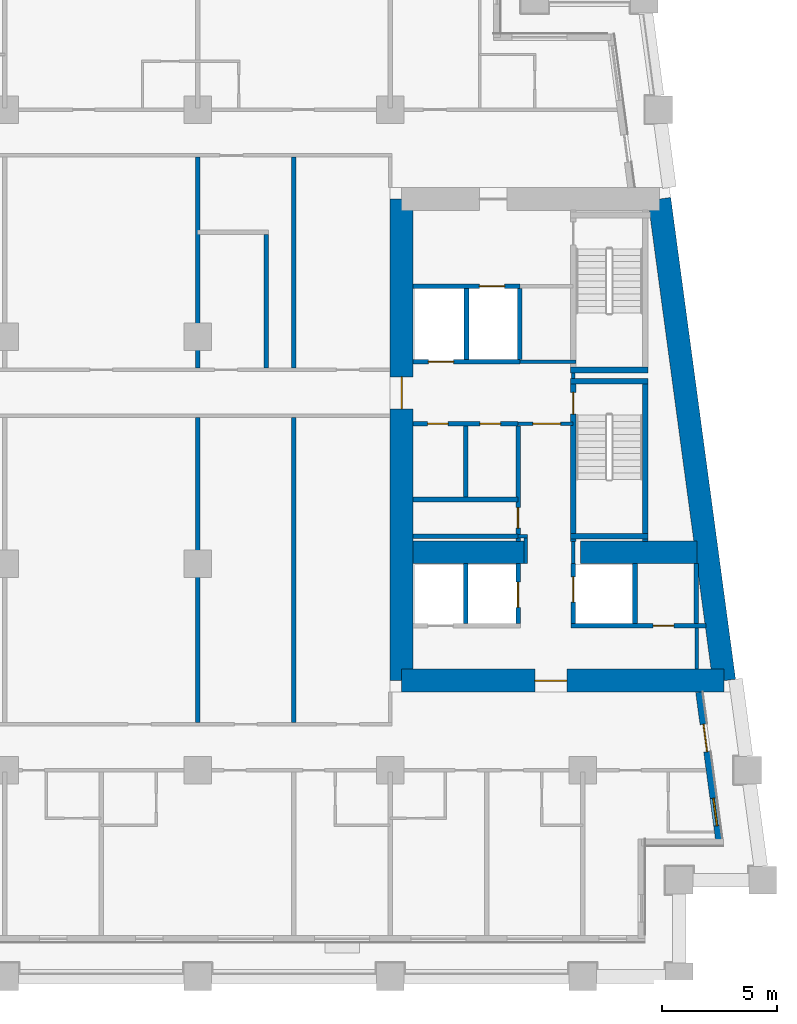
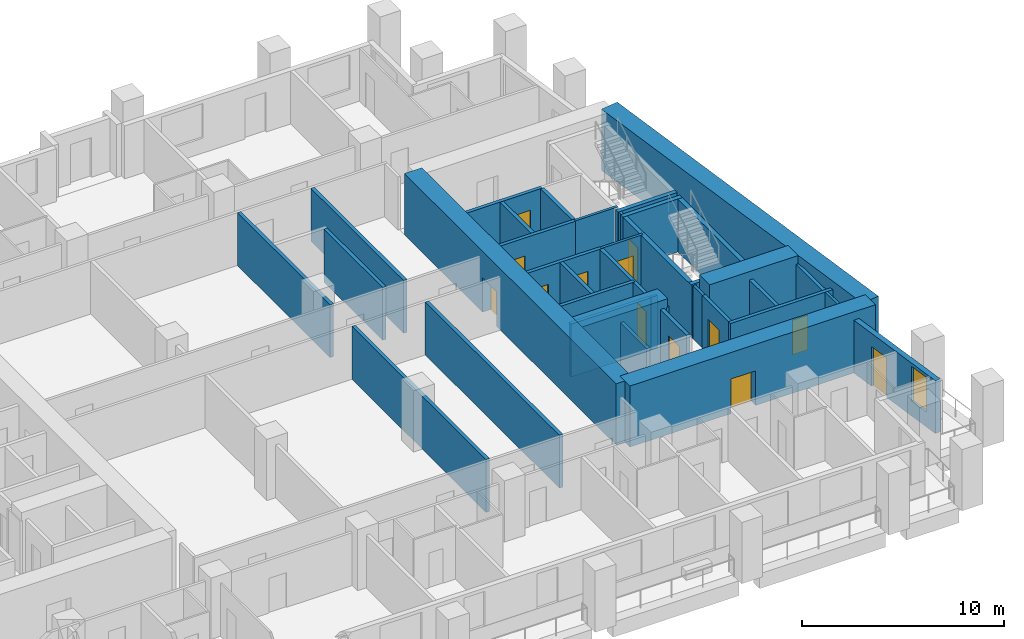
# One storey, part 5 of 13: 38 walls, 13 doors, 1 window, 14 openings.
"""IFC4 building model written with IfcOpenShell, lengths in metres."""

from ifc_helpers import new_model, si_unit, direction, frame, frame_2d, origin, place, context, subcontext, project, spatial, rectangle, extrude, material, layer, layer_set, type_object, element, fill, save


model = new_model("IFC4")

# Units and contexts
model_context = context("Model", 3, precision=1e-05, world=origin(), true_north=direction((0.0, 1.0)))
body_context = subcontext(model_context, "Body", "Model", "MODEL_VIEW")
ifc_project = project(units=[si_unit("LENGTHUNIT", "METRE"), si_unit("AREAUNIT", "SQUARE_METRE"), si_unit("VOLUMEUNIT", "CUBIC_METRE"), si_unit("PLANEANGLEUNIT", "RADIAN"), si_unit("MASSUNIT", "GRAM", prefix="KILO")], contexts=[model_context])

# Site, building, storey
site_placement = place(None, origin())
site = spatial("IfcSite", under=ifc_project, at=site_placement, CompositionType="ELEMENT")
building_placement = place(site_placement, origin())
building = spatial("IfcBuilding", under=site, at=building_placement, Name="Candeia Pilgrim Tower and Theatre", CompositionType="ELEMENT")
storey_placement = place(building_placement, frame((0.0, 0.0, 131.699951171875)))
storey = spatial("IfcBuildingStorey", under=building, at=storey_placement, Name="L31", CompositionType="ELEMENT", Elevation=131.699951171875)

# Wall
ifc_material_1 = material(Name="Concrete C70/85", Category="concrete")
ifc_layer_1 = layer(ifc_material_1, 1.0)
ifc_layer_set_1 = layer_set([ifc_layer_1], Name="Core wall 1000 C70/85")
wall_type_1 = type_object("IfcWallType", Name="Core wall 1000 C70/85", PredefinedType="SHEAR", material=ifc_layer_set_1)
wall_1_placement = place(storey_placement, frame((137.73193359375, 131.89990234375, 0.0), z_axis=(0.0, 0.0, 1.0), x_axis=(0.133411141623, -0.991060778808, 0.0)))
element("IfcWall", 1, at=wall_1_placement, inside=storey, type_object=wall_type_1, Name="Core wall E2", PredefinedType="SHEAR", context=body_context, shape_type="SweptSolid", body=[
    extrude(rectangle(XDim=21.189453125, YDim=1.0, at=frame_2d((10.5947265625, 0.0))), origin(), (0.0, 0.0, 1.0), 3.699951171875),
])

# Wall, opening, door
wall_2_placement = place(storey_placement, frame((140.558837890625, 110.89990234375, 0.0), z_axis=(0.0, 0.0, 1.0), x_axis=(-1.0, 0.0, 0.0)))
wall_2 = element("IfcWall", 2, at=wall_2_placement, inside=storey, type_object=wall_type_1, Name="Core wall E3", PredefinedType="SHEAR", context=body_context, shape_type="SweptSolid", body=[
    extrude(rectangle(XDim=14.058837890625, YDim=1.0, at=frame_2d((7.029296875, 0.0))), origin(), (0.0, 0.0, 1.0), 3.699951171875),
])
opening_1_placement = place(wall_2_placement, frame((6.857666015625, 0.0, 0.0)))
opening_1 = element("IfcOpeningElement", 3, at=opening_1_placement, cuts=wall_2, Name="Opening L31-D061", PredefinedType="OPENING", context=body_context, shape_type="SweptSolid", body=[
    extrude(rectangle(XDim=1.39990234375, YDim=2.10009765625, at=frame_2d((0.699951171875, 1.050048828125))), frame((0.0, 0.510009765625, 0.0), z_axis=(0.0, -1.0, 0.0), x_axis=(1.0, 0.0, 0.0)), (0.0, 0.0, 1.0), 1.02001953125),
])
ifc_material_2 = material(Name="Steel fire door set", Category="steel")
door_type_1 = type_object("IfcDoorType", Name="D-1400-FD60", OperationType="NOTDEFINED", PredefinedType="DOOR", material=ifc_material_2)
door_1_placement = place(opening_1_placement, origin())
door_1 = element("IfcDoor", 4, at=door_1_placement, inside=storey, type_object=door_type_1, Name="Door L31-D061", OperationType="SINGLE_SWING_RIGHT", OverallHeight=2.10009765625, OverallWidth=1.39990234375, PredefinedType="DOOR", context=body_context, shape_type="SweptSolid", body=[
    extrude(rectangle(XDim=1.39990234375, YDim=2.10009765625, at=frame_2d((0.699951171875, 1.050048828125))), frame((0.0, 0.02490234375, 0.0), z_axis=(0.0, -1.0, 0.0), x_axis=(1.0, 0.0, 0.0)), (0.0, 0.0, 1.0), 0.050048828125),
])
fill(opening_1, door_1)

wall_3_placement = place(storey_placement, frame((126.5, 110.89990234375, 0.0), z_axis=(0.0, 0.0, 1.0), x_axis=(0.0, 1.0, 0.0)))
wall_3 = element("IfcWall", 5, at=wall_3_placement, inside=storey, type_object=wall_type_1, Name="Core wall E4", PredefinedType="SHEAR", context=body_context, shape_type="SweptSolid", body=[
    extrude(rectangle(XDim=21.0, YDim=1.0, at=frame_2d((10.5, 0.0))), origin(), (0.0, 0.0, 1.0), 3.699951171875),
])
opening_2_placement = place(wall_3_placement, frame((11.85009765625, 0.0, 0.0)))
opening_2 = element("IfcOpeningElement", 6, at=opening_2_placement, cuts=wall_3, Name="Opening L31-D063", PredefinedType="OPENING", context=body_context, shape_type="SweptSolid", body=[
    extrude(rectangle(XDim=1.39990234375, YDim=2.10009765625, at=frame_2d((0.699951171875, 1.050048828125))), frame((0.0, 0.510009765625, 0.0), z_axis=(0.0, -1.0, 0.0), x_axis=(1.0, 0.0, 0.0)), (0.0, 0.0, 1.0), 1.02001953125),
])
door_2_placement = place(opening_2_placement, origin())
door_2 = element("IfcDoor", 7, at=door_2_placement, inside=storey, type_object=door_type_1, Name="Door L31-D063", OperationType="SINGLE_SWING_RIGHT", OverallHeight=2.10009765625, OverallWidth=1.39990234375, PredefinedType="DOOR", context=body_context, shape_type="SweptSolid", body=[
    extrude(rectangle(XDim=1.39990234375, YDim=2.10009765625, at=frame_2d((0.699951171875, 1.050048828125))), frame((0.0, 0.02490234375, 0.0), z_axis=(0.0, -1.0, 0.0), x_axis=(1.0, 0.0, 0.0)), (0.0, 0.0, 1.0), 0.050048828125),
])
fill(opening_2, door_2)

# Walls
wall_4_placement = place(storey_placement, frame((127.0, 116.5, 0.0), z_axis=(0.0, 0.0, 1.0), x_axis=(1.0, 0.0, 0.0)))
element("IfcWall", 8, at=wall_4_placement, inside=storey, type_object=wall_type_1, Name="Core wall E5", PredefinedType="SHEAR", context=body_context, shape_type="SweptSolid", body=[
    extrude(rectangle(XDim=4.89990234375, YDim=1.0, at=frame_2d((2.449951171875, 0.0))), origin(), (0.0, 0.0, 1.0), 3.699951171875),
])
wall_5_placement = place(storey_placement, frame((134.300048828125, 116.5, 0.0), z_axis=(0.0, 0.0, 1.0), x_axis=(1.0, 0.0, 0.0)))
element("IfcWall", 9, at=wall_5_placement, inside=storey, type_object=wall_type_1, Name="Core wall E6", PredefinedType="SHEAR", context=body_context, shape_type="SweptSolid", body=[
    extrude(rectangle(XDim=5.076904296875, YDim=1.0, at=frame_2d((2.53857421875, 0.0))), origin(), (0.0, 0.0, 1.0), 3.699951171875),
])

# Wall, openings, door, window
ifc_material_3 = material(Name="Ceramic block masonry", Category="masonry")
ifc_layer_2 = layer(ifc_material_3, 0.300048828125)
ifc_layer_set_2 = layer_set([ifc_layer_2], Name="EW1 glazing-line wall 300")
wall_type_2 = type_object("IfcWallType", Name="EW1 glazing-line wall 300", PredefinedType="SOLIDWALL", material=ifc_layer_set_2)
wall_6_placement = place(storey_placement, frame((140.34765625, 103.85009765625, 0.0), z_axis=(0.0, 0.0, 1.0), x_axis=(-0.133431549479, 0.991058031401, 0.0)))
wall_6 = element("IfcWall", 10, at=wall_6_placement, inside=storey, type_object=wall_type_2, Name="External wall L31-3.0", PredefinedType="SOLIDWALL", context=body_context, shape_type="SweptSolid", body=[
    extrude(rectangle(XDim=6.60888671875, YDim=0.300048828125, at=frame_2d((3.304443359375, 0.0))), origin(), (0.0, 0.0, 1.0), 3.199951171875),
])
opening_3_placement = place(wall_6_placement, frame((0.736572265625, 0.0, 0.89990234375)))
opening_3 = element("IfcOpeningElement", 11, at=opening_3_placement, cuts=wall_6, Name="Opening W-B", PredefinedType="OPENING", context=body_context, shape_type="SweptSolid", body=[
    extrude(rectangle(XDim=1.199951171875, YDim=2.10009765625, at=frame_2d((0.60009765625, 1.050048828125))), frame((0.0, 0.16015625, 0.0), z_axis=(0.0, -1.0, 0.0), x_axis=(1.0, 0.0, 0.0)), (0.0, 0.0, 1.0), 0.320068359375),
])
opening_4_placement = place(wall_6_placement, frame((3.990966796875, 0.0, 0.0)))
opening_4 = element("IfcOpeningElement", 12, at=opening_4_placement, cuts=wall_6, Name="Opening L31-ED311", PredefinedType="OPENING", context=body_context, shape_type="SweptSolid", body=[
    extrude(rectangle(XDim=1.199951171875, YDim=2.39990234375, at=frame_2d((0.60009765625, 1.199951171875))), frame((0.0, 0.16015625, 0.0), z_axis=(0.0, -1.0, 0.0), x_axis=(1.0, 0.0, 0.0)), (0.0, 0.0, 1.0), 0.320068359375),
])
ifc_material_4 = material(Name="Aluminium framed glazed door", Category="aluminium")
door_type_2 = type_object("IfcDoorType", Name="Loggia door 1200x2400", OperationType="DOUBLE_DOOR_SINGLE_SWING", PredefinedType="DOOR", material=ifc_material_4)
door_3_placement = place(opening_4_placement, origin())
door_3 = element("IfcDoor", 13, at=door_3_placement, inside=storey, type_object=door_type_2, Name="Loggia door L31-ED311", OperationType="DOUBLE_DOOR_SINGLE_SWING", OverallHeight=2.39990234375, OverallWidth=1.199951171875, PredefinedType="DOOR", context=body_context, shape_type="SweptSolid", body=[
    extrude(rectangle(XDim=1.199951171875, YDim=2.39990234375, at=frame_2d((0.60009765625, 1.199951171875))), frame((0.0, 0.02490234375, 0.0), z_axis=(0.0, -1.0, 0.0), x_axis=(1.0, 0.0, 0.0)), (0.0, 0.0, 1.0), 0.050048828125),
])
fill(opening_4, door_3)
ifc_material_5 = material(Name="Aluminium framed double glazing", Category="aluminium")
window_type = type_object("IfcWindowType", Name="W-B window 1200x2100", PartitioningType="SINGLE_PANEL", PredefinedType="WINDOW", material=ifc_material_5)
window_placement = place(opening_3_placement, origin())
window = element("IfcWindow", 14, at=window_placement, inside=storey, type_object=window_type, Name="Window W-B L31", OverallHeight=2.10009765625, OverallWidth=1.199951171875, PartitioningType="SINGLE_PANEL", PredefinedType="WINDOW", context=body_context, shape_type="SweptSolid", body=[
    extrude(rectangle(XDim=1.199951171875, YDim=2.10009765625, at=frame_2d((0.60009765625, 1.050048828125))), frame((0.0, 0.030029296875, 0.0), z_axis=(0.0, -1.0, 0.0), x_axis=(1.0, 0.0, 0.0)), (0.0, 0.0, 1.0), 0.06005859375),
])
fill(opening_3, window)

# Wall
ifc_material_6 = material(Name="Gypsum board partition on steel studs", Category="steel")
ifc_layer_3 = layer(ifc_material_6, 0.14990234375)
ifc_layer_set_3 = layer_set([ifc_layer_3], Name="PW-150 lobby wall")
wall_type_3 = type_object("IfcWallType", Name="PW-150 lobby wall", PredefinedType="PARTITIONING", material=ifc_layer_set_3)
wall_7_placement = place(storey_placement, frame((131.572998046875, 117.199951171875, 0.0), z_axis=(0.0, 0.0, 1.0), x_axis=(1.0, 0.0, 0.0)))
element("IfcWall", 15, at=wall_7_placement, inside=storey, type_object=wall_type_3, Name="Lobby wall L31-018", PredefinedType="PARTITIONING", context=body_context, shape_type="SweptSolid", body=[
    extrude(rectangle(XDim=0.402099609375, YDim=0.14990234375, at=frame_2d((0.201171875, 0.0))), origin(), (0.0, 0.0, 1.0), 3.199951171875),
])

# Wall, opening, door
wall_8_placement = place(storey_placement, frame((131.572998046875, 122.10009765625, 0.0), z_axis=(0.0, 0.0, 1.0), x_axis=(1.0, 0.0, 0.0)))
wall_8 = element("IfcWall", 16, at=wall_8_placement, inside=storey, type_object=wall_type_3, Name="Lobby wall L31-026", PredefinedType="PARTITIONING", context=body_context, shape_type="SweptSolid", body=[
    extrude(rectangle(XDim=2.39990234375, YDim=0.14990234375, at=frame_2d((1.199951171875, 0.0))), origin(), (0.0, 0.0, 1.0), 3.199951171875),
])
opening_5_placement = place(wall_8_placement, frame((0.64990234375, 0.0, 0.0)))
opening_5 = element("IfcOpeningElement", 17, at=opening_5_placement, cuts=wall_8, Name="Opening L31-D010", PredefinedType="OPENING", context=body_context, shape_type="SweptSolid", body=[
    extrude(rectangle(XDim=1.199951171875, YDim=2.10009765625, at=frame_2d((0.60009765625, 1.050048828125))), frame((0.0, 0.0849609375, 0.0), z_axis=(0.0, -1.0, 0.0), x_axis=(1.0, 0.0, 0.0)), (0.0, 0.0, 1.0), 0.169921875),
])
door_type_3 = type_object("IfcDoorType", Name="D-1200-FD60", OperationType="NOTDEFINED", PredefinedType="DOOR", material=ifc_material_2)
door_4_placement = place(opening_5_placement, origin())
door_4 = element("IfcDoor", 18, at=door_4_placement, inside=storey, type_object=door_type_3, Name="Door L31-D010", OperationType="SINGLE_SWING_RIGHT", OverallHeight=2.10009765625, OverallWidth=1.199951171875, PredefinedType="DOOR", context=body_context, shape_type="SweptSolid", body=[
    extrude(rectangle(XDim=1.199951171875, YDim=2.10009765625, at=frame_2d((0.60009765625, 1.050048828125))), frame((0.0, 0.02490234375, 0.0), z_axis=(0.0, -1.0, 0.0), x_axis=(1.0, 0.0, 0.0)), (0.0, 0.0, 1.0), 0.050048828125),
])
fill(opening_5, door_4)

# Walls
wall_9_placement = place(storey_placement, frame((131.648681640625, 124.800048828125, 0.0), z_axis=(0.0, 0.0, 1.0), x_axis=(1.0, 0.0, 0.0)))
element("IfcWall", 19, at=wall_9_placement, inside=storey, type_object=wall_type_3, Name="Lobby wall L31-035", PredefinedType="PARTITIONING", context=body_context, shape_type="SweptSolid", body=[
    extrude(rectangle(XDim=2.44921875, YDim=0.14990234375, at=frame_2d((1.224609375, 0.0))), origin(), (0.0, 0.0, 1.0), 3.199951171875),
])
wall_10_placement = place(storey_placement, frame((131.89990234375, 116.0, 0.0), z_axis=(0.0, 0.0, 1.0), x_axis=(0.0, 1.0, 0.0)))
element("IfcWall", 20, at=wall_10_placement, inside=storey, type_object=wall_type_3, Name="Lobby wall L31-109", PredefinedType="PARTITIONING", context=body_context, shape_type="SweptSolid", body=[
    extrude(rectangle(XDim=1.125, YDim=0.14990234375, at=frame_2d((0.5625, 0.0))), origin(), (0.0, 0.0, 1.0), 3.199951171875),
])
wall_11_placement = place(storey_placement, frame((133.972900390625, 116.0, 0.0), z_axis=(0.0, 0.0, 1.0), x_axis=(0.0, 1.0, 0.0)))
element("IfcWall", 21, at=wall_11_placement, inside=storey, type_object=wall_type_3, Name="Lobby wall L31-113", PredefinedType="PARTITIONING", context=body_context, shape_type="SweptSolid", body=[
    extrude(rectangle(XDim=0.969970703125, YDim=0.14990234375, at=frame_2d((0.48486328125, 0.0))), origin(), (0.0, 0.0, 1.0), 3.199951171875),
])
wall_12_placement = place(storey_placement, frame((133.972900390625, 124.074951171875, 0.0), z_axis=(0.0, 0.0, 1.0), x_axis=(0.0, 1.0, 0.0)))
element("IfcWall", 22, at=wall_12_placement, inside=storey, type_object=wall_type_3, Name="Lobby wall L31-114", PredefinedType="PARTITIONING", context=body_context, shape_type="SweptSolid", body=[
    extrude(rectangle(XDim=0.25, YDim=0.14990234375, at=frame_2d((0.125, 0.0))), origin(), (0.0, 0.0, 1.0), 3.199951171875),
])
wall_13_placement = place(storey_placement, frame((139.37109375, 111.39990234375, 0.0), z_axis=(0.0, 0.0, 1.0), x_axis=(0.0, 1.0, 0.0)))
element("IfcWall", 23, at=wall_13_placement, inside=storey, type_object=wall_type_3, Name="Lobby wall L31-123", PredefinedType="PARTITIONING", context=body_context, shape_type="SweptSolid", body=[
    extrude(rectangle(XDim=1.800048828125, YDim=0.14990234375, at=frame_2d((0.89990234375, 0.0))), origin(), (0.0, 0.0, 1.0), 3.199951171875),
])
ifc_layer_4 = layer(ifc_material_6, 0.199951171875)
ifc_layer_set_4 = layer_set([ifc_layer_4], Name="PW-200 party wall")
wall_type_4 = type_object("IfcWallType", Name="PW-200 party wall", PredefinedType="PARTITIONING", material=ifc_layer_set_4)
wall_14_placement = place(storey_placement, frame((117.60009765625, 109.074951171875, 0.0), z_axis=(0.0, 0.0, 1.0), x_axis=(0.0, 1.0, 0.0)))
element("IfcWall", 24, at=wall_14_placement, inside=storey, type_object=wall_type_4, Name="Party wall L31-087", PredefinedType="PARTITIONING", context=body_context, shape_type="SweptSolid", body=[
    extrude(rectangle(XDim=13.300048828125, YDim=0.199951171875, at=frame_2d((6.64990234375, 0.0))), origin(), (0.0, 0.0, 1.0), 3.199951171875),
])
wall_15_placement = place(storey_placement, frame((117.60009765625, 124.52490234375, 0.0), z_axis=(0.0, 0.0, 1.0), x_axis=(0.0, 1.0, 0.0)))
element("IfcWall", 25, at=wall_15_placement, inside=storey, type_object=wall_type_4, Name="Party wall L31-088", PredefinedType="PARTITIONING", context=body_context, shape_type="SweptSolid", body=[
    extrude(rectangle(XDim=9.2001953125, YDim=0.199951171875, at=frame_2d((4.60009765625, 0.0))), origin(), (0.0, 0.0, 1.0), 3.199951171875),
])
wall_16_placement = place(storey_placement, frame((120.60009765625, 124.52490234375, 0.0), z_axis=(0.0, 0.0, 1.0), x_axis=(0.0, 1.0, 0.0)))
element("IfcWall", 26, at=wall_16_placement, inside=storey, type_object=wall_type_4, Name="Party wall L31-091", PredefinedType="PARTITIONING", context=body_context, shape_type="SweptSolid", body=[
    extrude(rectangle(XDim=5.8251953125, YDim=0.199951171875, at=frame_2d((2.91259765625, 0.0))), origin(), (0.0, 0.0, 1.0), 3.199951171875),
])
wall_17_placement = place(storey_placement, frame((121.800048828125, 109.074951171875, 0.0), z_axis=(0.0, 0.0, 1.0), x_axis=(0.0, 1.0, 0.0)))
element("IfcWall", 27, at=wall_17_placement, inside=storey, type_object=wall_type_4, Name="Party wall L31-093", PredefinedType="PARTITIONING", context=body_context, shape_type="SweptSolid", body=[
    extrude(rectangle(XDim=13.300048828125, YDim=0.199951171875, at=frame_2d((6.64990234375, 0.0))), origin(), (0.0, 0.0, 1.0), 3.199951171875),
])
wall_18_placement = place(storey_placement, frame((121.800048828125, 124.52490234375, 0.0), z_axis=(0.0, 0.0, 1.0), x_axis=(0.0, 1.0, 0.0)))
element("IfcWall", 28, at=wall_18_placement, inside=storey, type_object=wall_type_4, Name="Party wall L31-094", PredefinedType="PARTITIONING", context=body_context, shape_type="SweptSolid", body=[
    extrude(rectangle(XDim=9.2001953125, YDim=0.199951171875, at=frame_2d((4.60009765625, 0.0))), origin(), (0.0, 0.0, 1.0), 3.199951171875),
])

# Wall, opening, door
ifc_material_7 = material(Name="Concrete C40/50", Category="concrete")
ifc_layer_5 = layer(ifc_material_7, 0.199951171875)
ifc_layer_set_5 = layer_set([ifc_layer_5], Name="SW-200 shaft wall")
wall_type_5 = type_object("IfcWallType", Name="SW-200 shaft wall", PredefinedType="PARTITIONING", material=ifc_layer_set_5)
wall_19_placement = place(storey_placement, frame((133.873046875, 113.300048828125, 0.0), z_axis=(0.0, 0.0, 1.0), x_axis=(1.0, 0.0, 0.0)))
wall_19 = element("IfcWall", 29, at=wall_19_placement, inside=storey, type_object=wall_type_5, Name="Shaft wall L31-014", PredefinedType="PARTITIONING", context=body_context, shape_type="SweptSolid", body=[
    extrude(rectangle(XDim=5.888427734375, YDim=0.199951171875, at=frame_2d((2.9443359375, 0.0))), origin(), (0.0, 0.0, 1.0), 3.199951171875),
])
opening_6_placement = place(wall_19_placement, frame((3.589111328125, 0.0, 0.0)))
opening_6 = element("IfcOpeningElement", 30, at=opening_6_placement, cuts=wall_19, Name="Opening L31-D016", PredefinedType="OPENING", context=body_context, shape_type="SweptSolid", body=[
    extrude(rectangle(XDim=0.89990234375, YDim=2.10009765625, at=frame_2d((0.449951171875, 1.050048828125))), frame((0.0, 0.10986328125, 0.0), z_axis=(0.0, -1.0, 0.0), x_axis=(1.0, 0.0, 0.0)), (0.0, 0.0, 1.0), 0.219970703125),
])
door_type_4 = type_object("IfcDoorType", Name="D-900-FD60", OperationType="NOTDEFINED", PredefinedType="DOOR", material=ifc_material_2)
door_5_placement = place(opening_6_placement, origin())
door_5 = element("IfcDoor", 31, at=door_5_placement, inside=storey, type_object=door_type_4, Name="Door L31-D016", OperationType="SINGLE_SWING_LEFT", OverallHeight=2.10009765625, OverallWidth=0.89990234375, PredefinedType="DOOR", context=body_context, shape_type="SweptSolid", body=[
    extrude(rectangle(XDim=0.89990234375, YDim=2.10009765625, at=frame_2d((0.449951171875, 1.050048828125))), frame((0.0, 0.02490234375, 0.0), z_axis=(0.0, -1.0, 0.0), x_axis=(1.0, 0.0, 0.0)), (0.0, 0.0, 1.0), 0.050048828125),
])
fill(opening_6, door_5)

# Walls
for number, where, z_axis, x_axis, name in (
    (32, (127.0, 117.199951171875, 0.0), (0.0, 0.0, 1.0), (1.0, 0.0, 0.0), "Shaft wall L31-016"),
    (33, (127.0, 118.800048828125, 0.0), (0.0, 0.0, 1.0), (1.0, 0.0, 0.0), "Shaft wall L31-022"),
):
    element("IfcWall", number, at=place(storey_placement, frame(where, z_axis=z_axis, x_axis=x_axis)), inside=storey, type_object=wall_type_5, Name=name, PredefinedType="PARTITIONING", context=body_context, shape_type="SweptSolid", body=[
        extrude(rectangle(XDim=4.572998046875, YDim=0.199951171875, at=frame_2d((2.28662109375, 0.0))), origin(), (0.0, 0.0, 1.0), 3.199951171875),
    ])

# Wall, openings, doors
wall_20_placement = place(storey_placement, frame((127.0, 122.10009765625, 0.0), z_axis=(0.0, 0.0, 1.0), x_axis=(1.0, 0.0, 0.0)))
wall_20 = element("IfcWall", 34, at=wall_20_placement, inside=storey, type_object=wall_type_5, Name="Shaft wall L31-024", PredefinedType="PARTITIONING", context=body_context, shape_type="SweptSolid", body=[
    extrude(rectangle(XDim=4.572998046875, YDim=0.199951171875, at=frame_2d((2.28662109375, 0.0))), origin(), (0.0, 0.0, 1.0), 3.199951171875),
])
opening_7_placement = place(wall_20_placement, frame((2.910888671875, 0.0, 0.0)))
opening_7 = element("IfcOpeningElement", 35, at=opening_7_placement, cuts=wall_20, Name="Opening L31-D011", PredefinedType="OPENING", context=body_context, shape_type="SweptSolid", body=[
    extrude(rectangle(XDim=0.89990234375, YDim=2.10009765625, at=frame_2d((0.449951171875, 1.050048828125))), frame((0.0, 0.10986328125, 0.0), z_axis=(0.0, -1.0, 0.0), x_axis=(1.0, 0.0, 0.0)), (0.0, 0.0, 1.0), 0.219970703125),
])
opening_8_placement = place(wall_20_placement, frame((0.625, 0.0, 0.0)))
opening_8 = element("IfcOpeningElement", 36, at=opening_8_placement, cuts=wall_20, Name="Opening L31-D012", PredefinedType="OPENING", context=body_context, shape_type="SweptSolid", body=[
    extrude(rectangle(XDim=0.89990234375, YDim=2.10009765625, at=frame_2d((0.449951171875, 1.050048828125))), frame((0.0, 0.10986328125, 0.0), z_axis=(0.0, -1.0, 0.0), x_axis=(1.0, 0.0, 0.0)), (0.0, 0.0, 1.0), 0.219970703125),
])
door_6_placement = place(opening_7_placement, origin())
door_6 = element("IfcDoor", 37, at=door_6_placement, inside=storey, type_object=door_type_4, Name="Door L31-D011", OperationType="SINGLE_SWING_LEFT", OverallHeight=2.10009765625, OverallWidth=0.89990234375, PredefinedType="DOOR", context=body_context, shape_type="SweptSolid", body=[
    extrude(rectangle(XDim=0.89990234375, YDim=2.10009765625, at=frame_2d((0.449951171875, 1.050048828125))), frame((0.0, 0.02490234375, 0.0), z_axis=(0.0, -1.0, 0.0), x_axis=(1.0, 0.0, 0.0)), (0.0, 0.0, 1.0), 0.050048828125),
])
fill(opening_7, door_6)
door_7_placement = place(opening_8_placement, origin())
door_7 = element("IfcDoor", 38, at=door_7_placement, inside=storey, type_object=door_type_4, Name="Door L31-D012", OperationType="SINGLE_SWING_RIGHT", OverallHeight=2.10009765625, OverallWidth=0.89990234375, PredefinedType="DOOR", context=body_context, shape_type="SweptSolid", body=[
    extrude(rectangle(XDim=0.89990234375, YDim=2.10009765625, at=frame_2d((0.449951171875, 1.050048828125))), frame((0.0, 0.02490234375, 0.0), z_axis=(0.0, -1.0, 0.0), x_axis=(1.0, 0.0, 0.0)), (0.0, 0.0, 1.0), 0.050048828125),
])
fill(opening_8, door_7)

# Wall, opening, door
wall_21_placement = place(storey_placement, frame((127.0, 124.800048828125, 0.0), z_axis=(0.0, 0.0, 1.0), x_axis=(1.0, 0.0, 0.0)))
wall_21 = element("IfcWall", 39, at=wall_21_placement, inside=storey, type_object=wall_type_5, Name="Shaft wall L31-034", PredefinedType="PARTITIONING", context=body_context, shape_type="SweptSolid", body=[
    extrude(rectangle(XDim=4.648681640625, YDim=0.199951171875, at=frame_2d((2.32421875, 0.0))), origin(), (0.0, 0.0, 1.0), 3.199951171875),
])
opening_9_placement = place(wall_21_placement, frame((0.6650390625, 0.0, 0.0)))
opening_9 = element("IfcOpeningElement", 40, at=opening_9_placement, cuts=wall_21, Name="Opening L31-LD05", PredefinedType="OPENING", context=body_context, shape_type="SweptSolid", body=[
    extrude(rectangle(XDim=1.10009765625, YDim=2.10009765625, at=frame_2d((0.550048828125, 1.050048828125))), frame((0.0, 0.10986328125, 0.0), z_axis=(0.0, -1.0, 0.0), x_axis=(1.0, 0.0, 0.0)), (0.0, 0.0, 1.0), 0.219970703125),
])
ifc_material_8 = material(Name="Glazed aluminium landing door", Category="aluminium")
door_type_5 = type_object("IfcDoorType", Name="LD-1100-EI120", OperationType="SLIDING_TO_LEFT", PredefinedType="DOOR", material=ifc_material_8)
door_8_placement = place(opening_9_placement, origin())
door_8 = element("IfcDoor", 41, at=door_8_placement, inside=storey, type_object=door_type_5, Name="Landing door 05 L31", OperationType="SLIDING_TO_LEFT", OverallHeight=2.10009765625, OverallWidth=1.10009765625, PredefinedType="DOOR", context=body_context, shape_type="SweptSolid", body=[
    extrude(rectangle(XDim=1.10009765625, YDim=2.10009765625, at=frame_2d((0.550048828125, 1.050048828125))), frame((0.0, 0.02490234375, 0.0), z_axis=(0.0, -1.0, 0.0), x_axis=(1.0, 0.0, 0.0)), (0.0, 0.0, 1.0), 0.050048828125),
])
fill(opening_9, door_8)

wall_22_placement = place(storey_placement, frame((127.0, 128.10009765625, 0.0), z_axis=(0.0, 0.0, 1.0), x_axis=(1.0, 0.0, 0.0)))
wall_22 = element("IfcWall", 42, at=wall_22_placement, inside=storey, type_object=wall_type_5, Name="Shaft wall L31-037", PredefinedType="PARTITIONING", context=body_context, shape_type="SweptSolid", body=[
    extrude(rectangle(XDim=4.648681640625, YDim=0.199951171875, at=frame_2d((2.32421875, 0.0))), origin(), (0.0, 0.0, 1.0), 3.199951171875),
])
opening_10_placement = place(wall_22_placement, frame((2.884033203125, 0.0, 0.0)))
opening_10 = element("IfcOpeningElement", 43, at=opening_10_placement, cuts=wall_22, Name="Opening L31-LD04", PredefinedType="OPENING", context=body_context, shape_type="SweptSolid", body=[
    extrude(rectangle(XDim=1.10009765625, YDim=2.10009765625, at=frame_2d((0.550048828125, 1.050048828125))), frame((0.0, 0.10986328125, 0.0), z_axis=(0.0, -1.0, 0.0), x_axis=(1.0, 0.0, 0.0)), (0.0, 0.0, 1.0), 0.219970703125),
])
door_9_placement = place(opening_10_placement, origin())
door_9 = element("IfcDoor", 44, at=door_9_placement, inside=storey, type_object=door_type_5, Name="Landing door 04 L31", OperationType="SLIDING_TO_LEFT", OverallHeight=2.10009765625, OverallWidth=1.10009765625, PredefinedType="DOOR", context=body_context, shape_type="SweptSolid", body=[
    extrude(rectangle(XDim=1.10009765625, YDim=2.10009765625, at=frame_2d((0.550048828125, 1.050048828125))), frame((0.0, 0.02490234375, 0.0), z_axis=(0.0, -1.0, 0.0), x_axis=(1.0, 0.0, 0.0)), (0.0, 0.0, 1.0), 0.050048828125),
])
fill(opening_10, door_9)

# Walls
wall_23_placement = place(storey_placement, frame((129.28662109375, 113.39990234375, 0.0), z_axis=(0.0, 0.0, 1.0), x_axis=(0.0, 1.0, 0.0)))
element("IfcWall", 45, at=wall_23_placement, inside=storey, type_object=wall_type_5, Name="Shaft wall L31-101", PredefinedType="PARTITIONING", context=body_context, shape_type="SweptSolid", body=[
    extrude(rectangle(XDim=2.60009765625, YDim=0.199951171875, at=frame_2d((1.300048828125, 0.0))), origin(), (0.0, 0.0, 1.0), 3.199951171875),
])
for number, where, z_axis, x_axis, name in (
    (46, (129.28662109375, 118.89990234375, 0.0), (0.0, 0.0, 1.0), (0.0, 1.0, 0.0), "Shaft wall L31-102"),
    (47, (129.32421875, 124.89990234375, 0.0), (0.0, 0.0, 1.0), (0.0, 1.0, 0.0), "Shaft wall L31-103"),
):
    element("IfcWall", number, at=place(storey_placement, frame(where, z_axis=z_axis, x_axis=x_axis)), inside=storey, type_object=wall_type_5, Name=name, PredefinedType="PARTITIONING", context=body_context, shape_type="SweptSolid", body=[
        extrude(rectangle(XDim=3.10009765625, YDim=0.199951171875, at=frame_2d((1.550048828125, 0.0))), origin(), (0.0, 0.0, 1.0), 3.199951171875),
    ])

# Wall, opening, door
wall_24_placement = place(storey_placement, frame((131.572998046875, 113.39990234375, 0.0), z_axis=(0.0, 0.0, 1.0), x_axis=(0.0, 1.0, 0.0)))
wall_24 = element("IfcWall", 48, at=wall_24_placement, inside=storey, type_object=wall_type_5, Name="Shaft wall L31-106", PredefinedType="PARTITIONING", context=body_context, shape_type="SweptSolid", body=[
    extrude(rectangle(XDim=2.60009765625, YDim=0.199951171875, at=frame_2d((1.300048828125, 0.0))), origin(), (0.0, 0.0, 1.0), 3.199951171875),
])
opening_11_placement = place(wall_24_placement, frame((0.699951171875, 0.0, 0.0)))
opening_11 = element("IfcOpeningElement", 49, at=opening_11_placement, cuts=wall_24, Name="Opening L31-LD07", PredefinedType="OPENING", context=body_context, shape_type="SweptSolid", body=[
    extrude(rectangle(XDim=1.10009765625, YDim=2.10009765625, at=frame_2d((0.550048828125, 1.050048828125))), frame((0.0, 0.10986328125, 0.0), z_axis=(0.0, -1.0, 0.0), x_axis=(1.0, 0.0, 0.0)), (0.0, 0.0, 1.0), 0.219970703125),
])
door_10_placement = place(opening_11_placement, origin())
door_10 = element("IfcDoor", 50, at=door_10_placement, inside=storey, type_object=door_type_5, Name="Landing door 07 L31", OperationType="SLIDING_TO_LEFT", OverallHeight=2.10009765625, OverallWidth=1.10009765625, PredefinedType="DOOR", context=body_context, shape_type="SweptSolid", body=[
    extrude(rectangle(XDim=1.10009765625, YDim=2.10009765625, at=frame_2d((0.550048828125, 1.050048828125))), frame((0.0, 0.02490234375, 0.0), z_axis=(0.0, -1.0, 0.0), x_axis=(1.0, 0.0, 0.0)), (0.0, 0.0, 1.0), 0.050048828125),
])
fill(opening_11, door_10)

wall_25_placement = place(storey_placement, frame((131.572998046875, 116.969970703125, 0.0), z_axis=(0.0, 0.0, 1.0), x_axis=(0.0, 1.0, 0.0)))
wall_25 = element("IfcWall", 51, at=wall_25_placement, inside=storey, type_object=wall_type_5, Name="Shaft wall L31-107", PredefinedType="PARTITIONING", context=body_context, shape_type="SweptSolid", body=[
    extrude(rectangle(XDim=5.030029296875, YDim=0.199951171875, at=frame_2d((2.51513671875, 0.0))), origin(), (0.0, 0.0, 1.0), 3.199951171875),
])
opening_12_placement = place(wall_25_placement, frame((0.580078125, 0.0, 0.0)))
opening_12 = element("IfcOpeningElement", 52, at=opening_12_placement, cuts=wall_25, Name="Opening L31-D015", PredefinedType="OPENING", context=body_context, shape_type="SweptSolid", body=[
    extrude(rectangle(XDim=0.89990234375, YDim=2.10009765625, at=frame_2d((0.449951171875, 1.050048828125))), frame((0.0, 0.10986328125, 0.0), z_axis=(0.0, -1.0, 0.0), x_axis=(1.0, 0.0, 0.0)), (0.0, 0.0, 1.0), 0.219970703125),
])
door_11_placement = place(opening_12_placement, origin())
door_11 = element("IfcDoor", 53, at=door_11_placement, inside=storey, type_object=door_type_4, Name="Door L31-D015", OperationType="SINGLE_SWING_LEFT", OverallHeight=2.10009765625, OverallWidth=0.89990234375, PredefinedType="DOOR", context=body_context, shape_type="SweptSolid", body=[
    extrude(rectangle(XDim=0.89990234375, YDim=2.10009765625, at=frame_2d((0.449951171875, 1.050048828125))), frame((0.0, 0.02490234375, 0.0), z_axis=(0.0, -1.0, 0.0), x_axis=(1.0, 0.0, 0.0)), (0.0, 0.0, 1.0), 0.050048828125),
])
fill(opening_12, door_11)

# Wall
wall_26_placement = place(storey_placement, frame((131.648681640625, 124.89990234375, 0.0), z_axis=(0.0, 0.0, 1.0), x_axis=(0.0, 1.0, 0.0)))
element("IfcWall", 54, at=wall_26_placement, inside=storey, type_object=wall_type_5, Name="Shaft wall L31-108", PredefinedType="PARTITIONING", context=body_context, shape_type="SweptSolid", body=[
    extrude(rectangle(XDim=3.10009765625, YDim=0.199951171875, at=frame_2d((1.550048828125, 0.0))), origin(), (0.0, 0.0, 1.0), 3.199951171875),
])

# Wall, opening, door
wall_27_placement = place(storey_placement, frame((133.972900390625, 113.39990234375, 0.0), z_axis=(0.0, 0.0, 1.0), x_axis=(0.0, 1.0, 0.0)))
wall_27 = element("IfcWall", 55, at=wall_27_placement, inside=storey, type_object=wall_type_5, Name="Shaft wall L31-112", PredefinedType="PARTITIONING", context=body_context, shape_type="SweptSolid", body=[
    extrude(rectangle(XDim=2.60009765625, YDim=0.199951171875, at=frame_2d((1.300048828125, 0.0))), origin(), (0.0, 0.0, 1.0), 3.199951171875),
])
opening_13_placement = place(wall_27_placement, frame((0.925048828125, 0.0, 0.0)))
opening_13 = element("IfcOpeningElement", 56, at=opening_13_placement, cuts=wall_27, Name="Opening L31-LD06", PredefinedType="OPENING", context=body_context, shape_type="SweptSolid", body=[
    extrude(rectangle(XDim=1.10009765625, YDim=2.10009765625, at=frame_2d((0.550048828125, 1.050048828125))), frame((0.0, 0.10986328125, 0.0), z_axis=(0.0, -1.0, 0.0), x_axis=(1.0, 0.0, 0.0)), (0.0, 0.0, 1.0), 0.219970703125),
])
door_12_placement = place(opening_13_placement, origin())
door_12 = element("IfcDoor", 57, at=door_12_placement, inside=storey, type_object=door_type_5, Name="Landing door 06 L31", OperationType="SLIDING_TO_LEFT", OverallHeight=2.10009765625, OverallWidth=1.10009765625, PredefinedType="DOOR", context=body_context, shape_type="SweptSolid", body=[
    extrude(rectangle(XDim=1.10009765625, YDim=2.10009765625, at=frame_2d((0.550048828125, 1.050048828125))), frame((0.0, 0.02490234375, 0.0), z_axis=(0.0, -1.0, 0.0), x_axis=(1.0, 0.0, 0.0)), (0.0, 0.0, 1.0), 0.050048828125),
])
fill(opening_13, door_12)

# Walls
for number, where, z_axis, x_axis, name in (
    (58, (136.672119140625, 113.39990234375, 0.0), (0.0, 0.0, 1.0), (0.0, 1.0, 0.0), "Shaft wall L31-118"),
    (59, (139.348876953125, 113.39990234375, 0.0), (0.0, 0.0, 1.0), (0.0, 1.0, 0.0), "Shaft wall L31-122"),
):
    element("IfcWall", number, at=place(storey_placement, frame(where, z_axis=z_axis, x_axis=x_axis)), inside=storey, type_object=wall_type_5, Name=name, PredefinedType="PARTITIONING", context=body_context, shape_type="SweptSolid", body=[
        extrude(rectangle(XDim=2.60009765625, YDim=0.199951171875, at=frame_2d((1.300048828125, 0.0))), origin(), (0.0, 0.0, 1.0), 3.199951171875),
    ])
ifc_layer_6 = layer(ifc_material_7, 0.25)
ifc_layer_set_6 = layer_set([ifc_layer_6], Name="SW-250 stair wall")
wall_type_6 = type_object("IfcWallType", Name="SW-250 stair wall", PredefinedType="PARTITIONING", material=ifc_layer_set_6)
for number, where, z_axis, x_axis, name in (
    (60, (133.847900390625, 117.199951171875, 0.0), (0.0, 0.0, 1.0), (1.0, 0.0, 0.0), "Stair wall L31-020"),
    (61, (133.847900390625, 123.949951171875, 0.0), (0.0, 0.0, 1.0), (1.0, 0.0, 0.0), "Stair wall L31-029"),
    (62, (133.847900390625, 124.449951171875, 0.0), (0.0, 0.0, 1.0), (1.0, 0.0, 0.0), "Stair wall L31-031"),
):
    element("IfcWall", number, at=place(storey_placement, frame(where, z_axis=z_axis, x_axis=x_axis)), inside=storey, type_object=wall_type_6, Name=name, PredefinedType="PARTITIONING", context=body_context, shape_type="SweptSolid", body=[
        extrude(rectangle(XDim=3.400146484375, YDim=0.25, at=frame_2d((1.7001953125, 0.0))), origin(), (0.0, 0.0, 1.0), 3.199951171875),
    ])

# Wall, opening, door
wall_28_placement = place(storey_placement, frame((133.972900390625, 116.969970703125, 0.0), z_axis=(0.0, 0.0, 1.0), x_axis=(0.0, 1.0, 0.0)))
wall_28 = element("IfcWall", 63, at=wall_28_placement, inside=storey, type_object=wall_type_6, Name="Stair wall L31-115", PredefinedType="PARTITIONING", context=body_context, shape_type="SweptSolid", body=[
    extrude(rectangle(XDim=6.85498046875, YDim=0.25, at=frame_2d((3.427490234375, 0.0))), origin(), (0.0, 0.0, 1.0), 3.199951171875),
])
opening_14_placement = place(wall_28_placement, frame((5.554931640625, 0.0, 0.0)))
opening_14 = element("IfcOpeningElement", 64, at=opening_14_placement, cuts=wall_28, Name="Opening L31-D013", PredefinedType="OPENING", context=body_context, shape_type="SweptSolid", body=[
    extrude(rectangle(XDim=0.949951171875, YDim=2.10009765625, at=frame_2d((0.47509765625, 1.050048828125))), frame((0.0, 0.135009765625, 0.0), z_axis=(0.0, -1.0, 0.0), x_axis=(1.0, 0.0, 0.0)), (0.0, 0.0, 1.0), 0.27001953125),
])
door_type_6 = type_object("IfcDoorType", Name="D-950-FD60", OperationType="NOTDEFINED", PredefinedType="DOOR", material=ifc_material_2)
door_13_placement = place(opening_14_placement, origin())
door_13 = element("IfcDoor", 65, at=door_13_placement, inside=storey, type_object=door_type_6, Name="Door L31-D013", OperationType="SINGLE_SWING_LEFT", OverallHeight=2.10009765625, OverallWidth=0.949951171875, PredefinedType="DOOR", context=body_context, shape_type="SweptSolid", body=[
    extrude(rectangle(XDim=0.949951171875, YDim=2.10009765625, at=frame_2d((0.47509765625, 1.050048828125))), frame((0.0, 0.02490234375, 0.0), z_axis=(0.0, -1.0, 0.0), x_axis=(1.0, 0.0, 0.0)), (0.0, 0.0, 1.0), 0.050048828125),
])
fill(opening_14, door_13)

# Wall
wall_29_placement = place(storey_placement, frame((137.123046875, 116.969970703125, 0.0), z_axis=(0.0, 0.0, 1.0), x_axis=(0.0, 1.0, 0.0)))
element("IfcWall", 66, at=wall_29_placement, inside=storey, type_object=wall_type_6, Name="Stair wall L31-119", PredefinedType="PARTITIONING", context=body_context, shape_type="SweptSolid", body=[
    extrude(rectangle(XDim=6.85498046875, YDim=0.25, at=frame_2d((3.427490234375, 0.0))), origin(), (0.0, 0.0, 1.0), 3.199951171875),
])

save(model, "model.ifc")
